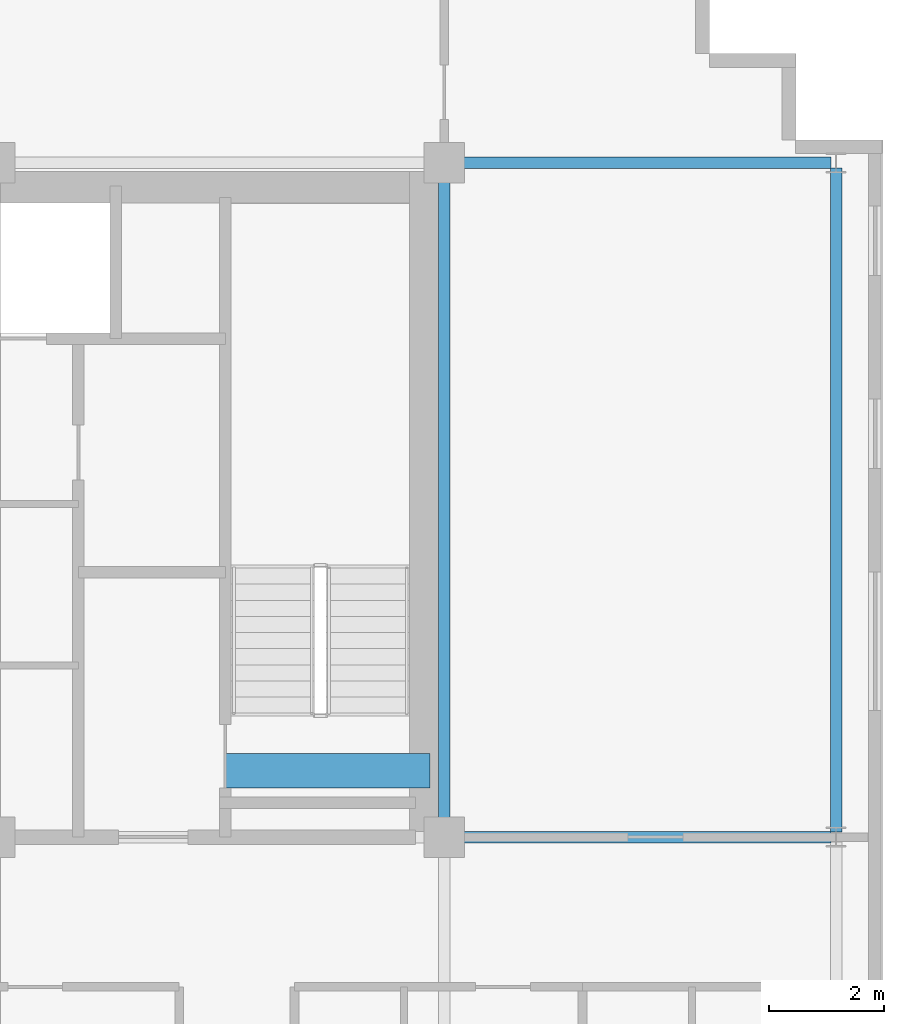
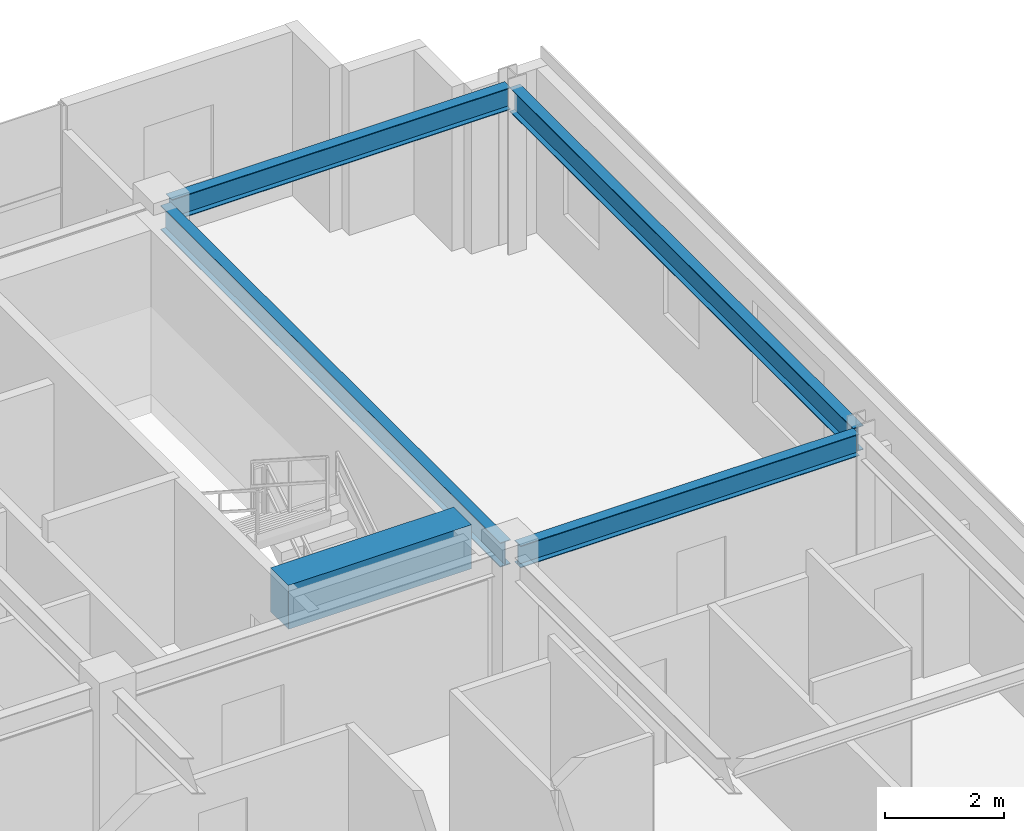
# One storey, part 13 of 23: 5 beams.
"""IFC4 building model written with IfcOpenShell, lengths in metres."""

from ifc_helpers import new_model, si_unit, direction, frame, origin, origin_2d, place, context, subcontext, project, spatial, rectangle, i_section, extrude, source, transform, mapped, material, material_profile, profile_set, type_object, element, save


model = new_model("IFC4")

# Units and contexts
model_context = context("Model", 3, precision=1e-05, world=origin(), true_north=direction((0.0, 1.0)))
body_context = subcontext(model_context, "Body", "Model", "MODEL_VIEW")
ifc_project = project(units=[si_unit("LENGTHUNIT", "METRE"), si_unit("AREAUNIT", "SQUARE_METRE"), si_unit("VOLUMEUNIT", "CUBIC_METRE"), si_unit("PLANEANGLEUNIT", "RADIAN"), si_unit("MASSUNIT", "GRAM", prefix="KILO")], contexts=[model_context])

# Site, building, storey
site_placement = place(None, origin())
site = spatial("IfcSite", under=ifc_project, at=site_placement, CompositionType="ELEMENT")
building_placement = place(site_placement, origin())
building = spatial("IfcBuilding", under=site, at=building_placement, Name="Trelvane Seafront Commons", CompositionType="ELEMENT")
storey_placement = place(building_placement, frame((0.0, 0.0, 190.5)))
storey = spatial("IfcBuildingStorey", under=building, at=storey_placement, Name="L49", CompositionType="ELEMENT", Elevation=190.5)

# Beams
ifc_material_1 = material(Name="Concrete C60/75", Category="concrete")
ifc_material_profile_1 = material_profile(ifc_material_1, rectangle(XDim=0.60009765625, YDim=0.89990234375, at=origin_2d()), Name="RC-600x900")
ifc_profile_set_1 = profile_set([ifc_material_profile_1], Name="Concrete C60/75")
beam_type_1 = type_object("IfcBeamType", Name="STR-LNT-RC600x900", PredefinedType="LINTEL", material=ifc_profile_set_1)
shared_shape_1 = source(origin(), body_context, "Body", "SweptSolid", [
    extrude(rectangle(XDim=0.60009765625, YDim=0.89990234375, at=origin_2d()), origin(), (0.0, 0.0, 1.0), 3.550048828125),
])
beam_1_placement = place(storey_placement, frame((55.0, 34.550048828125, 2.909912109375), z_axis=(1.0, 0.0, 0.0), x_axis=(0.0, 1.0, 0.0)))
element("IfcBeam", 1, at=beam_1_placement, inside=storey, type_object=beam_type_1, Name="L49 Core Coupling Lintel Beam CB-68", PredefinedType="LINTEL", context=body_context, shape_type="MappedRepresentation", body=[
    mapped(shared_shape_1, transform((0.0, 0.0, 0.0), x_axis=(1.0, 0.0, 0.0), y_axis=(0.0, 1.0, 0.0), z_axis=(0.0, 0.0, 1.0), scale=1.0)),
])
ifc_material_2 = material(Name="Steel SM355 (S355)", Category="steel")
ifc_material_profile_2 = material_profile(ifc_material_2, i_section(OverallWidth=0.199951171875, OverallDepth=0.5, WebThickness=0.010009765625, FlangeThickness=0.01611328125, at=origin_2d()), Name="H-500x200x10x16")
ifc_profile_set_2 = profile_set([ifc_material_profile_2], Name="Steel SM355 (S355)")
beam_type_2 = type_object("IfcBeamType", Name="STR-BM-H500", PredefinedType="BEAM", material=ifc_profile_set_2)
shared_shape_2 = source(origin(), body_context, "Body", "SweptSolid", [
    extrude(i_section(OverallWidth=0.199951171875, OverallDepth=0.5, WebThickness=0.010009765625, FlangeThickness=0.01611328125, at=origin_2d()), origin(), (0.0, 0.0, 1.0), 11.39990234375),
])
beam_2_placement = place(storey_placement, frame((58.800048828125, 33.550048828125, 3.110107421875), z_axis=(0.0, 1.0, 0.0), x_axis=(-1.0, 0.0, 0.0)))
element("IfcBeam", 2, at=beam_2_placement, inside=storey, type_object=beam_type_2, Name="L49 Primary Girder G-49", PredefinedType="BEAM", context=body_context, shape_type="MappedRepresentation", body=[
    mapped(shared_shape_2, transform((0.0, 0.0, 0.0), x_axis=(1.0, 0.0, 0.0), y_axis=(0.0, 1.0, 0.0), z_axis=(0.0, 0.0, 1.0), scale=1.0)),
])
ifc_material_profile_3 = material_profile(ifc_material_2, i_section(OverallWidth=0.199951171875, OverallDepth=0.449951171875, WebThickness=0.009033203125, FlangeThickness=0.013916015625, at=origin_2d()), Name="H-450x200x9x14")
ifc_profile_set_3 = profile_set([ifc_material_profile_3], Name="Steel SM355 (S355)")
beam_type_3 = type_object("IfcBeamType", Name="STR-SPD-H450", PredefinedType="SPANDREL", material=ifc_profile_set_3)
shared_shape_3 = source(origin(), body_context, "Body", "SweptSolid", [
    extrude(i_section(OverallWidth=0.199951171875, OverallDepth=0.449951171875, WebThickness=0.009033203125, FlangeThickness=0.013916015625, at=origin_2d()), origin(), (0.0, 0.0, 1.0), 6.5625),
])
for number, where, z_axis, x_axis, name in (
    (3, (58.949951171875, 33.39990234375, 3.135009765625), (1.0, 0.0, 0.0), (0.0, 1.0, 0.0), "L49 Primary Girder G-21"),
    (4, (58.949951171875, 45.10009765625, 3.135009765625), (1.0, 0.0, 0.0), (0.0, 1.0, 0.0), "L49 Primary Girder G-28"),
):
    element("IfcBeam", number, at=place(storey_placement, frame(where, z_axis=z_axis, x_axis=x_axis)), inside=storey, type_object=beam_type_3, Name=name, PredefinedType="SPANDREL", context=body_context, shape_type="MappedRepresentation", body=[
        mapped(shared_shape_3, transform((0.0, 0.0, 0.0), x_axis=(1.0, 0.0, 0.0), y_axis=(0.0, 1.0, 0.0), z_axis=(0.0, 0.0, 1.0), scale=1.0)),
    ])
shared_shape_4 = source(origin(), body_context, "Body", "SweptSolid", [
    extrude(i_section(OverallWidth=0.199951171875, OverallDepth=0.5, WebThickness=0.010009765625, FlangeThickness=0.01611328125, at=origin_2d()), origin(), (0.0, 0.0, 1.0), 11.52490234375),
])
beam_3_placement = place(storey_placement, frame((65.60009765625, 33.487548828125, 3.110107421875), z_axis=(0.0, 1.0, 0.0), x_axis=(-1.0, 0.0, 0.0)))
element("IfcBeam", 5, at=beam_3_placement, inside=storey, type_object=beam_type_2, Name="L49 Primary Girder G-52", PredefinedType="BEAM", context=body_context, shape_type="MappedRepresentation", body=[
    mapped(shared_shape_4, transform((0.0, 0.0, 0.0), x_axis=(1.0, 0.0, 0.0), y_axis=(0.0, 1.0, 0.0), z_axis=(0.0, 0.0, 1.0), scale=1.0)),
])

save(model, "model.ifc")
